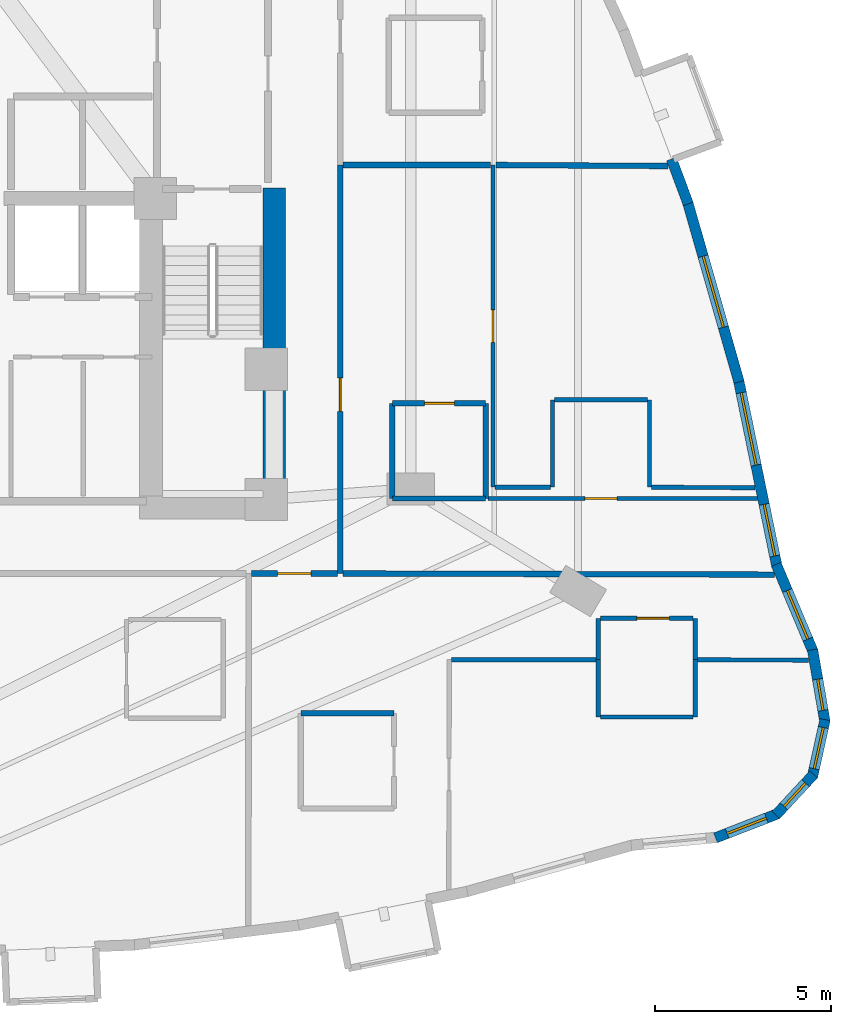
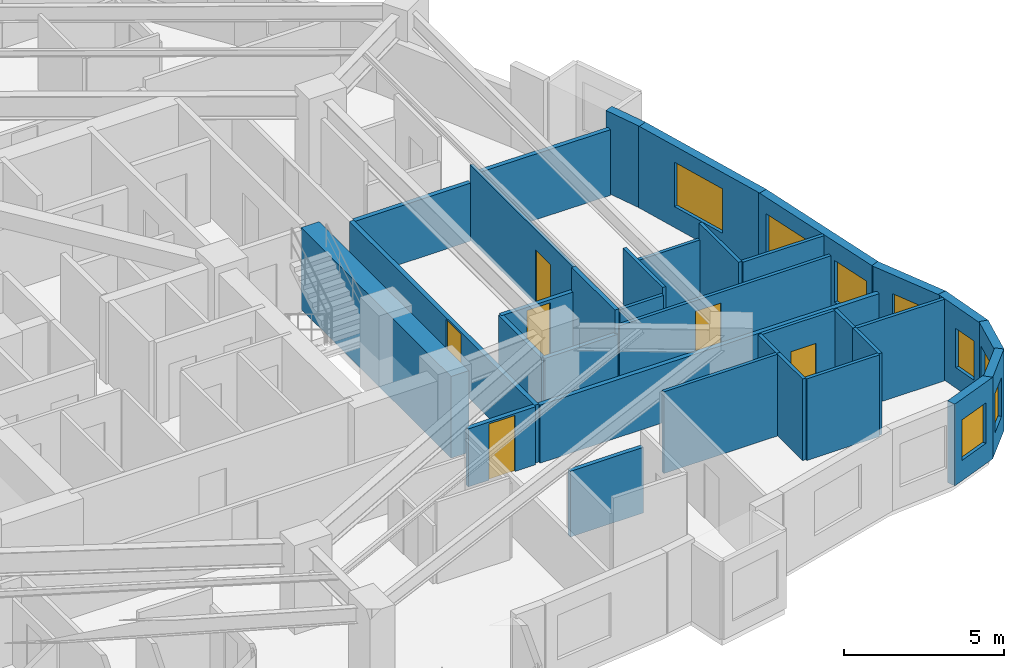
# One storey, part 9 of 13: 34 walls, 8 windows, 6 doors, 14 openings.
"""IFC4 building model written with IfcOpenShell, lengths in metres."""

from ifc_helpers import new_model, si_unit, direction, frame, frame_2d, origin, place, context, subcontext, project, spatial, rectangle, extrude, material, layer, layer_set, type_object, element, fill, save


model = new_model("IFC4")

# Units and contexts
model_context = context("Model", 3, precision=1e-05, world=origin(), true_north=direction((0.0, 1.0)))
body_context = subcontext(model_context, "Body", "Model", "MODEL_VIEW")
ifc_project = project(units=[si_unit("LENGTHUNIT", "METRE"), si_unit("AREAUNIT", "SQUARE_METRE"), si_unit("VOLUMEUNIT", "CUBIC_METRE"), si_unit("PLANEANGLEUNIT", "RADIAN"), si_unit("MASSUNIT", "GRAM", prefix="KILO")], contexts=[model_context])

# Site, building, storey
site_placement = place(None, origin())
site = spatial("IfcSite", under=ifc_project, at=site_placement, CompositionType="ELEMENT")
building_placement = place(site_placement, origin())
building = spatial("IfcBuilding", under=site, at=building_placement, Name="Miruveldt Soraemaru", CompositionType="ELEMENT")
storey_placement = place(building_placement, frame((0.0, 0.0, 70.0)))
storey = spatial("IfcBuildingStorey", under=building, at=storey_placement, Name="L19", CompositionType="ELEMENT", Elevation=70.0)

# Wall
ifc_material_1 = material(Name="Concrete C80/95 (80 MPa)", Category="concrete")
ifc_layer_1 = layer(ifc_material_1, 0.64990234375, Name="Concrete C80/95 (80 MPa)", Category="concrete")
ifc_layer_set_1 = layer_set([ifc_layer_1], Name="Concrete C80/95 (80 MPa)")
wall_type_1 = type_object("IfcWallType", Name="WALL-CW-650", PredefinedType="SHEAR", material=ifc_layer_set_1)
wall_1_placement = place(storey_placement, frame((52.72509765625, 34.949951171875, 0.0), z_axis=(0.0, 0.0, 1.0), x_axis=(0.0, 1.0, 0.0)))
element("IfcWall", 1, at=wall_1_placement, inside=storey, type_object=wall_type_1, Name="L19 Central Core Shear Wall E1", PredefinedType="SHEAR", context=body_context, shape_type="SweptSolid", body=[
    extrude(rectangle(XDim=9.400146484375, YDim=0.64990234375, at=frame_2d((4.7001953125, 0.0))), origin(), (0.0, 0.0, 1.0), 3.125),
])

# Wall, opening, window
ifc_material_2 = material(Name="Precast concrete C45/55 (45 MPa)", Category="concrete")
ifc_layer_2 = layer(ifc_material_2, 0.300048828125, Name="Precast concrete C45/55 (45 MPa)", Category="concrete")
ifc_layer_set_2 = layer_set([ifc_layer_2], Name="Precast concrete C45/55 (45 MPa)")
wall_type_2 = type_object("IfcWallType", Name="WALL-EXT-PC300", PredefinedType="SOLIDWALL", material=ifc_layer_set_2)
wall_2_placement = place(storey_placement, frame((65.25732421875, 25.888671875, 0.0), z_axis=(0.0, 0.0, 1.0), x_axis=(0.932288833734, 0.361714708707, 0.0)))
wall_2 = element("IfcWall", 2, at=wall_2_placement, inside=storey, type_object=wall_type_2, Name="L19 Precast Concrete Facade Wall 30", PredefinedType="SOLIDWALL", context=body_context, shape_type="SweptSolid", body=[
    extrude(rectangle(XDim=1.900634765625, YDim=0.300048828125, at=frame_2d((0.9501953125, 0.0))), origin(), (0.0, 0.0, 1.0), 3.125),
])
opening_1_placement = place(wall_2_placement, frame((0.35107421875, 0.0, 0.780029296875)))
opening_1 = element("IfcOpeningElement", 3, at=opening_1_placement, cuts=wall_2, Name="Opening WN-4", PredefinedType="OPENING", context=body_context, shape_type="SweptSolid", body=[
    extrude(rectangle(XDim=1.199951171875, YDim=1.550048828125, at=frame_2d((0.60009765625, 0.77490234375))), frame((0.0, 0.16015625, 0.0), z_axis=(0.0, -1.0, 0.0), x_axis=(1.0, 0.0, 0.0)), (0.0, 0.0, 1.0), 0.320068359375),
])
ifc_material_3 = material(Name="Triple low-e insulated glazing", Category="glass")
window_type_1 = type_object("IfcWindowType", Name="WIN-PUNCH-1200x1550", PartitioningType="SINGLE_PANEL", PredefinedType="WINDOW", material=ifc_material_3)
window_1_placement = place(opening_1_placement, origin())
window_1 = element("IfcWindow", 4, at=window_1_placement, inside=storey, type_object=window_type_1, Name="L19 Punched Triple-Glazed Window 30.1", OverallHeight=1.550048828125, OverallWidth=1.199951171875, PartitioningType="SINGLE_PANEL", PredefinedType="WINDOW", context=body_context, shape_type="SweptSolid", body=[
    extrude(rectangle(XDim=1.199951171875, YDim=1.550048828125, at=frame_2d((0.60009765625, 0.77490234375))), frame((0.0, 0.030029296875, 0.0), z_axis=(0.0, -1.0, 0.0), x_axis=(1.0, 0.0, 0.0)), (0.0, 0.0, 1.0), 0.06005859375),
])
fill(opening_1, window_1)

wall_3_placement = place(storey_placement, frame((66.972900390625, 26.537841796875, 0.0), z_axis=(0.0, 0.0, 1.0), x_axis=(0.680201509312, 0.73302517469, 0.0)))
wall_3 = element("IfcWall", 5, at=wall_3_placement, inside=storey, type_object=wall_type_2, Name="L19 Precast Concrete Facade Wall 31", PredefinedType="SOLIDWALL", context=body_context, shape_type="SweptSolid", body=[
    extrude(rectangle(XDim=1.575927734375, YDim=0.300048828125, at=frame_2d((0.7880859375, 0.0))), origin(), (0.0, 0.0, 1.0), 3.125),
])
opening_2_placement = place(wall_3_placement, frame((0.337890625, 0.0, 0.780029296875)))
opening_2 = element("IfcOpeningElement", 6, at=opening_2_placement, cuts=wall_3, Name="Opening WN-7", PredefinedType="OPENING", context=body_context, shape_type="SweptSolid", body=[
    extrude(rectangle(XDim=0.89990234375, YDim=1.5, at=frame_2d((0.449951171875, 0.75))), frame((0.0, 0.16015625, 0.0), z_axis=(0.0, -1.0, 0.0), x_axis=(1.0, 0.0, 0.0)), (0.0, 0.0, 1.0), 0.320068359375),
])
window_type_2 = type_object("IfcWindowType", Name="WIN-PUNCH-900x1500", PartitioningType="SINGLE_PANEL", PredefinedType="WINDOW", material=ifc_material_3)
window_2_placement = place(opening_2_placement, origin())
window_2 = element("IfcWindow", 7, at=window_2_placement, inside=storey, type_object=window_type_2, Name="L19 Punched Triple-Glazed Window 31.1", OverallHeight=1.5, OverallWidth=0.89990234375, PartitioningType="SINGLE_PANEL", PredefinedType="WINDOW", context=body_context, shape_type="SweptSolid", body=[
    extrude(rectangle(XDim=0.89990234375, YDim=1.5, at=frame_2d((0.449951171875, 0.75))), frame((0.0, 0.030029296875, 0.0), z_axis=(0.0, -1.0, 0.0), x_axis=(1.0, 0.0, 0.0)), (0.0, 0.0, 1.0), 0.06005859375),
])
fill(opening_2, window_2)

wall_4_placement = place(storey_placement, frame((68.013427734375, 27.633056640625, 0.0), z_axis=(0.0, 0.0, 1.0), x_axis=(0.21571007503, 0.976457456078, 0.0)))
wall_4 = element("IfcWall", 8, at=wall_4_placement, inside=storey, type_object=wall_type_2, Name="L19 Precast Concrete Facade Wall 32", PredefinedType="SOLIDWALL", context=body_context, shape_type="SweptSolid", body=[
    extrude(rectangle(XDim=1.65234375, YDim=0.300048828125, at=frame_2d((0.826171875, 0.0))), origin(), (0.0, 0.0, 1.0), 3.125),
])
opening_3_placement = place(wall_4_placement, frame((0.22607421875, 0.0, 0.780029296875)))
opening_3 = element("IfcOpeningElement", 9, at=opening_3_placement, cuts=wall_4, Name="Opening WN-4", PredefinedType="OPENING", context=body_context, shape_type="SweptSolid", body=[
    extrude(rectangle(XDim=1.199951171875, YDim=1.550048828125, at=frame_2d((0.60009765625, 0.77490234375))), frame((0.0, 0.16015625, 0.0), z_axis=(0.0, -1.0, 0.0), x_axis=(1.0, 0.0, 0.0)), (0.0, 0.0, 1.0), 0.320068359375),
])
window_3_placement = place(opening_3_placement, origin())
window_3 = element("IfcWindow", 10, at=window_3_placement, inside=storey, type_object=window_type_1, Name="L19 Punched Triple-Glazed Window 32.1", OverallHeight=1.550048828125, OverallWidth=1.199951171875, PartitioningType="SINGLE_PANEL", PredefinedType="WINDOW", context=body_context, shape_type="SweptSolid", body=[
    extrude(rectangle(XDim=1.199951171875, YDim=1.550048828125, at=frame_2d((0.60009765625, 0.77490234375))), frame((0.0, 0.030029296875, 0.0), z_axis=(0.0, -1.0, 0.0), x_axis=(1.0, 0.0, 0.0)), (0.0, 0.0, 1.0), 0.06005859375),
])
fill(opening_3, window_3)

wall_5_placement = place(storey_placement, frame((68.3681640625, 29.177978515625, 0.0), z_axis=(0.0, 0.0, 1.0), x_axis=(-0.169256203907, 0.985572086374, 0.0)))
wall_5 = element("IfcWall", 11, at=wall_5_placement, inside=storey, type_object=wall_type_2, Name="L19 Precast Concrete Facade Wall 33", PredefinedType="SOLIDWALL", context=body_context, shape_type="SweptSolid", body=[
    extrude(rectangle(XDim=2.085693359375, YDim=0.300048828125, at=frame_2d((1.04296875, 0.0))), origin(), (0.0, 0.0, 1.0), 3.125),
])
opening_4_placement = place(wall_5_placement, frame((0.3359375, 0.0, 0.780029296875)))
opening_4 = element("IfcOpeningElement", 12, at=opening_4_placement, cuts=wall_5, Name="Opening WN-7", PredefinedType="OPENING", context=body_context, shape_type="SweptSolid", body=[
    extrude(rectangle(XDim=0.89990234375, YDim=1.5, at=frame_2d((0.449951171875, 0.75))), frame((0.0, 0.16015625, 0.0), z_axis=(0.0, -1.0, 0.0), x_axis=(1.0, 0.0, 0.0)), (0.0, 0.0, 1.0), 0.320068359375),
])
window_4_placement = place(opening_4_placement, origin())
window_4 = element("IfcWindow", 13, at=window_4_placement, inside=storey, type_object=window_type_2, Name="L19 Punched Triple-Glazed Window 33.1", OverallHeight=1.5, OverallWidth=0.89990234375, PartitioningType="SINGLE_PANEL", PredefinedType="WINDOW", context=body_context, shape_type="SweptSolid", body=[
    extrude(rectangle(XDim=0.89990234375, YDim=1.5, at=frame_2d((0.449951171875, 0.75))), frame((0.0, 0.030029296875, 0.0), z_axis=(0.0, -1.0, 0.0), x_axis=(1.0, 0.0, 0.0)), (0.0, 0.0, 1.0), 0.06005859375),
])
fill(opening_4, window_4)

wall_6_placement = place(storey_placement, frame((68.03466796875, 31.1669921875, 0.0), z_axis=(0.0, 0.0, 1.0), x_axis=(-0.388674171287, 0.921375270221, 0.0)))
wall_6 = element("IfcWall", 14, at=wall_6_placement, inside=storey, type_object=wall_type_2, Name="L19 Precast Concrete Facade Wall 34", PredefinedType="SOLIDWALL", context=body_context, shape_type="SweptSolid", body=[
    extrude(rectangle(XDim=2.705322265625, YDim=0.300048828125, at=frame_2d((1.3525390625, 0.0))), origin(), (0.0, 0.0, 1.0), 3.125),
])
opening_5_placement = place(wall_6_placement, frame((0.39794921875, 0.0, 0.800048828125)))
opening_5 = element("IfcOpeningElement", 15, at=opening_5_placement, cuts=wall_6, Name="Opening WN-3", PredefinedType="OPENING", context=body_context, shape_type="SweptSolid", body=[
    extrude(rectangle(XDim=1.5, YDim=1.60009765625, at=frame_2d((0.75, 0.800048828125))), frame((0.0, 0.16015625, 0.0), z_axis=(0.0, -1.0, 0.0), x_axis=(1.0, 0.0, 0.0)), (0.0, 0.0, 1.0), 0.320068359375),
])
window_type_3 = type_object("IfcWindowType", Name="WIN-PUNCH-1500x1600", PartitioningType="SINGLE_PANEL", PredefinedType="WINDOW", material=ifc_material_3)
window_5_placement = place(opening_5_placement, origin())
window_5 = element("IfcWindow", 16, at=window_5_placement, inside=storey, type_object=window_type_3, Name="L19 Punched Triple-Glazed Window 34.1", OverallHeight=1.60009765625, OverallWidth=1.5, PartitioningType="SINGLE_PANEL", PredefinedType="WINDOW", context=body_context, shape_type="SweptSolid", body=[
    extrude(rectangle(XDim=1.5, YDim=1.60009765625, at=frame_2d((0.75, 0.800048828125))), frame((0.0, 0.030029296875, 0.0), z_axis=(0.0, -1.0, 0.0), x_axis=(1.0, 0.0, 0.0)), (0.0, 0.0, 1.0), 0.06005859375),
])
fill(opening_5, window_5)

# Wall, openings, windows
wall_7_placement = place(storey_placement, frame((67.00390625, 33.593017578125, 0.0), z_axis=(0.0, 0.0, 1.0), x_axis=(-0.201583076405, 0.979471420363, 0.0)))
wall_7 = element("IfcWall", 17, at=wall_7_placement, inside=storey, type_object=wall_type_2, Name="L19 Precast Concrete Facade Wall 35", PredefinedType="SOLIDWALL", context=body_context, shape_type="SweptSolid", body=[
    extrude(rectangle(XDim=5.424560546875, YDim=0.300048828125, at=frame_2d((2.71240234375, 0.0))), origin(), (0.0, 0.0, 1.0), 3.125),
])
opening_6_placement = place(wall_7_placement, frame((0.30810546875, 0.0, 0.800048828125)))
opening_6 = element("IfcOpeningElement", 18, at=opening_6_placement, cuts=wall_7, Name="Opening WN-3", PredefinedType="OPENING", context=body_context, shape_type="SweptSolid", body=[
    extrude(rectangle(XDim=1.5, YDim=1.60009765625, at=frame_2d((0.75, 0.800048828125))), frame((0.0, 0.16015625, 0.0), z_axis=(0.0, -1.0, 0.0), x_axis=(1.0, 0.0, 0.0)), (0.0, 0.0, 1.0), 0.320068359375),
])
opening_7_placement = place(wall_7_placement, frame((2.943115234375, 0.0, 0.800048828125)))
opening_7 = element("IfcOpeningElement", 19, at=opening_7_placement, cuts=wall_7, Name="Opening WN-1", PredefinedType="OPENING", context=body_context, shape_type="SweptSolid", body=[
    extrude(rectangle(XDim=2.10009765625, YDim=1.699951171875, at=frame_2d((1.050048828125, 0.85009765625))), frame((0.0, 0.16015625, 0.0), z_axis=(0.0, -1.0, 0.0), x_axis=(1.0, 0.0, 0.0)), (0.0, 0.0, 1.0), 0.320068359375),
])
window_6_placement = place(opening_6_placement, origin())
window_6 = element("IfcWindow", 20, at=window_6_placement, inside=storey, type_object=window_type_3, Name="L19 Punched Triple-Glazed Window 35.1", OverallHeight=1.60009765625, OverallWidth=1.5, PartitioningType="SINGLE_PANEL", PredefinedType="WINDOW", context=body_context, shape_type="SweptSolid", body=[
    extrude(rectangle(XDim=1.5, YDim=1.60009765625, at=frame_2d((0.75, 0.800048828125))), frame((0.0, 0.030029296875, 0.0), z_axis=(0.0, -1.0, 0.0), x_axis=(1.0, 0.0, 0.0)), (0.0, 0.0, 1.0), 0.06005859375),
])
fill(opening_6, window_6)
window_type_4 = type_object("IfcWindowType", Name="WIN-PUNCH-2100x1700", PartitioningType="SINGLE_PANEL", PredefinedType="WINDOW", material=ifc_material_3)
window_7_placement = place(opening_7_placement, origin())
window_7 = element("IfcWindow", 21, at=window_7_placement, inside=storey, type_object=window_type_4, Name="L19 Punched Triple-Glazed Window 35.2", OverallHeight=1.699951171875, OverallWidth=2.10009765625, PartitioningType="SINGLE_PANEL", PredefinedType="WINDOW", context=body_context, shape_type="SweptSolid", body=[
    extrude(rectangle(XDim=2.10009765625, YDim=1.699951171875, at=frame_2d((1.050048828125, 0.85009765625))), frame((0.0, 0.030029296875, 0.0), z_axis=(0.0, -1.0, 0.0), x_axis=(1.0, 0.0, 0.0)), (0.0, 0.0, 1.0), 0.06005859375),
])
fill(opening_7, window_7)

# Wall, opening, window
wall_8_placement = place(storey_placement, frame((65.92724609375, 38.83837890625, 0.0), z_axis=(0.0, 0.0, 1.0), x_axis=(-0.275011596825, 0.961440909059, 0.0)))
wall_8 = element("IfcWall", 22, at=wall_8_placement, inside=storey, type_object=wall_type_2, Name="L19 Precast Concrete Facade Wall 36", PredefinedType="SOLIDWALL", context=body_context, shape_type="SweptSolid", body=[
    extrude(rectangle(XDim=5.328369140625, YDim=0.300048828125, at=frame_2d((2.6640625, 0.0))), origin(), (0.0, 0.0, 1.0), 3.125),
])
opening_8_placement = place(wall_8_placement, frame((1.614013671875, 0.0, 0.800048828125)))
opening_8 = element("IfcOpeningElement", 23, at=opening_8_placement, cuts=wall_8, Name="Opening WN-1", PredefinedType="OPENING", context=body_context, shape_type="SweptSolid", body=[
    extrude(rectangle(XDim=2.10009765625, YDim=1.699951171875, at=frame_2d((1.050048828125, 0.85009765625))), frame((0.0, 0.16015625, 0.0), z_axis=(0.0, -1.0, 0.0), x_axis=(1.0, 0.0, 0.0)), (0.0, 0.0, 1.0), 0.320068359375),
])
window_8_placement = place(opening_8_placement, origin())
window_8 = element("IfcWindow", 24, at=window_8_placement, inside=storey, type_object=window_type_4, Name="L19 Punched Triple-Glazed Window 36.1", OverallHeight=1.699951171875, OverallWidth=2.10009765625, PartitioningType="SINGLE_PANEL", PredefinedType="WINDOW", context=body_context, shape_type="SweptSolid", body=[
    extrude(rectangle(XDim=2.10009765625, YDim=1.699951171875, at=frame_2d((1.050048828125, 0.85009765625))), frame((0.0, 0.030029296875, 0.0), z_axis=(0.0, -1.0, 0.0), x_axis=(1.0, 0.0, 0.0)), (0.0, 0.0, 1.0), 0.06005859375),
])
fill(opening_8, window_8)

# Wall
wall_9_placement = place(storey_placement, frame((64.48388671875, 43.894775390625, 0.0), z_axis=(0.0, 0.0, 1.0), x_axis=(-0.349118285332, 0.937078664172, 0.0)))
element("IfcWall", 25, at=wall_9_placement, inside=storey, type_object=wall_type_2, Name="L19 Precast Pier Wall 37A", PredefinedType="SOLIDWALL", context=body_context, shape_type="SweptSolid", body=[
    extrude(rectangle(XDim=1.361572265625, YDim=0.300048828125, at=frame_2d((0.6806640625, 0.0))), origin(), (0.0, 0.0, 1.0), 3.125),
])

# Wall, opening, door
ifc_material_4 = material(Name="Gypsum plasterboard lining", Category="gypsum")
ifc_layer_3 = layer(ifc_material_4, 0.1201171875, Name="Gypsum plasterboard lining", Category="gypsum")
ifc_layer_set_3 = layer_set([ifc_layer_3], Name="Gypsum plasterboard lining")
wall_type_3 = type_object("IfcWallType", Name="WALL-INT-P120", PredefinedType="PARTITIONING", material=ifc_layer_set_3)
wall_10_placement = place(storey_placement, frame((58.94189453125, 35.85009765625, 0.0), z_axis=(0.0, 0.0, 1.0), x_axis=(0.0, 1.0, 0.0)))
wall_10 = element("IfcWall", 26, at=wall_10_placement, inside=storey, type_object=wall_type_3, Name="L19 Partition Wall 74", PredefinedType="PARTITIONING", context=body_context, shape_type="SweptSolid", body=[
    extrude(rectangle(XDim=9.14990234375, YDim=0.1201171875, at=frame_2d((4.574951171875, 0.0))), origin(), (0.0, 0.0, 1.0), 2.863037109375),
])
opening_9_placement = place(wall_10_placement, frame((4.114990234375, 0.0, 0.0)))
opening_9 = element("IfcOpeningElement", 27, at=opening_9_placement, cuts=wall_10, Name="Opening D3A", PredefinedType="OPENING", context=body_context, shape_type="SweptSolid", body=[
    extrude(rectangle(XDim=0.919921875, YDim=2.10009765625, at=frame_2d((0.4599609375, 1.050048828125))), frame((0.0, 0.070068359375, 0.0), z_axis=(0.0, -1.0, 0.0), x_axis=(1.0, 0.0, 0.0)), (0.0, 0.0, 1.0), 0.14013671875),
])
ifc_material_5 = material(Name="Anodised aluminium EN AW-6063 T6", Category="aluminium")
door_type_1 = type_object("IfcDoorType", Name="DOOR-INT-920", OperationType="NOTDEFINED", PredefinedType="DOOR", material=ifc_material_5)
door_1_placement = place(opening_9_placement, origin())
door_1 = element("IfcDoor", 28, at=door_1_placement, inside=storey, type_object=door_type_1, Name="L19 Unit 1906 BD1 Door", OperationType="SINGLE_SWING_RIGHT", OverallHeight=2.10009765625, OverallWidth=0.919921875, PredefinedType="DOOR", context=body_context, shape_type="SweptSolid", body=[
    extrude(rectangle(XDim=0.919921875, YDim=2.10009765625, at=frame_2d((0.4599609375, 1.050048828125))), frame((0.0, 0.02490234375, 0.0), z_axis=(0.0, -1.0, 0.0), x_axis=(1.0, 0.0, 0.0)), (0.0, 0.0, 1.0), 0.050048828125),
])
fill(opening_9, door_1)

wall_11_placement = place(storey_placement, frame((58.7900390625, 35.530029296875, 0.0), z_axis=(0.0, 0.0, 1.0), x_axis=(0.999999975075, -0.000223271237, 0.0)))
wall_11 = element("IfcWall", 29, at=wall_11_placement, inside=storey, type_object=wall_type_3, Name="L19 Partition Wall 71", PredefinedType="PARTITIONING", context=body_context, shape_type="SweptSolid", body=[
    extrude(rectangle(XDim=7.654296875, YDim=0.1201171875, at=frame_2d((3.8271484375, 0.0))), origin(), (0.0, 0.0, 1.0), 2.512939453125),
])
opening_10_placement = place(wall_11_placement, frame((2.7548828125, 0.0, 0.0)))
opening_10 = element("IfcOpeningElement", 30, at=opening_10_placement, cuts=wall_11, Name="Opening D3A", PredefinedType="OPENING", context=body_context, shape_type="SweptSolid", body=[
    extrude(rectangle(XDim=0.919921875, YDim=2.10009765625, at=frame_2d((0.4599609375, 1.050048828125))), frame((0.0, 0.070068359375, 0.0), z_axis=(0.0, -1.0, 0.0), x_axis=(1.0, 0.0, 0.0)), (0.0, 0.0, 1.0), 0.14013671875),
])
door_2_placement = place(opening_10_placement, origin())
door_2 = element("IfcDoor", 31, at=door_2_placement, inside=storey, type_object=door_type_1, Name="L19 Unit 1906 KIT Door", OperationType="SINGLE_SWING_LEFT", OverallHeight=2.10009765625, OverallWidth=0.919921875, PredefinedType="DOOR", context=body_context, shape_type="SweptSolid", body=[
    extrude(rectangle(XDim=0.919921875, YDim=2.10009765625, at=frame_2d((0.4599609375, 1.050048828125))), frame((0.0, 0.02490234375, 0.0), z_axis=(0.0, -1.0, 0.0), x_axis=(1.0, 0.0, 0.0)), (0.0, 0.0, 1.0), 0.050048828125),
])
fill(opening_10, door_2)

wall_12_placement = place(storey_placement, frame((64.6201171875, 32.126953125, 0.0), z_axis=(0.0, 0.0, 1.0), x_axis=(-1.0, 0.0, 0.0)))
wall_12 = element("IfcWall", 32, at=wall_12_placement, inside=storey, type_object=wall_type_3, Name="L19 Partition Wall 107", PredefinedType="PARTITIONING", context=body_context, shape_type="SweptSolid", body=[
    extrude(rectangle(XDim=2.630126953125, YDim=0.1201171875, at=frame_2d((1.31494140625, 0.0))), origin(), (0.0, 0.0, 1.0), 3.125),
])
opening_11_placement = place(wall_12_placement, frame((0.675048828125, 0.0, 0.0)))
opening_11 = element("IfcOpeningElement", 33, at=opening_11_placement, cuts=wall_12, Name="Opening D3A", PredefinedType="OPENING", context=body_context, shape_type="SweptSolid", body=[
    extrude(rectangle(XDim=0.919921875, YDim=2.10009765625, at=frame_2d((0.4599609375, 1.050048828125))), frame((0.0, 0.070068359375, 0.0), z_axis=(0.0, -1.0, 0.0), x_axis=(1.0, 0.0, 0.0)), (0.0, 0.0, 1.0), 0.14013671875),
])
door_3_placement = place(opening_11_placement, origin())
door_3 = element("IfcDoor", 34, at=door_3_placement, inside=storey, type_object=door_type_1, Name="L19 Unit 1909 KIT Door", OperationType="SINGLE_SWING_RIGHT", OverallHeight=2.10009765625, OverallWidth=0.919921875, PredefinedType="DOOR", context=body_context, shape_type="SweptSolid", body=[
    extrude(rectangle(XDim=0.919921875, YDim=2.10009765625, at=frame_2d((0.4599609375, 1.050048828125))), frame((0.0, 0.02490234375, 0.0), z_axis=(0.0, -1.0, 0.0), x_axis=(1.0, 0.0, 0.0)), (0.0, 0.0, 1.0), 0.050048828125),
])
fill(opening_11, door_3)

# Walls
wall_13_placement = place(storey_placement, frame((57.758056640625, 30.949951171875, 0.0), z_axis=(0.0, 0.0, 1.0), x_axis=(1.0, 0.0, 0.0)))
element("IfcWall", 35, at=wall_13_placement, inside=storey, type_object=wall_type_3, Name="L19 Partition Wall 110", PredefinedType="PARTITIONING", context=body_context, shape_type="SweptSolid", body=[
    extrude(rectangle(XDim=4.112060546875, YDim=0.1201171875, at=frame_2d((2.05615234375, 0.0))), origin(), (0.0, 0.0, 1.0), 3.125),
])
wall_14_placement = place(storey_placement, frame((64.739990234375, 30.949951171875, 0.0), z_axis=(0.0, 0.0, 1.0), x_axis=(0.999990296867, -0.004405243599, 0.0)))
element("IfcWall", 36, at=wall_14_placement, inside=storey, type_object=wall_type_3, Name="L19 Partition Wall 111", PredefinedType="PARTITIONING", context=body_context, shape_type="SweptSolid", body=[
    extrude(rectangle(XDim=3.158935546875, YDim=0.1201171875, at=frame_2d((1.57958984375, 0.0))), origin(), (0.0, 0.0, 1.0), 3.125),
])
wall_15_placement = place(storey_placement, frame((66.375, 35.8330078125, 0.0), z_axis=(0.0, 0.0, 1.0), x_axis=(-0.999983048755, 0.005822559758, 0.0)))
element("IfcWall", 37, at=wall_15_placement, inside=storey, type_object=wall_type_3, Name="L19 Partition Wall 72", PredefinedType="PARTITIONING", context=body_context, shape_type="SweptSolid", body=[
    extrude(rectangle(XDim=2.93505859375, YDim=0.1201171875, at=frame_2d((1.467529296875, 0.0))), origin(), (0.0, 0.0, 1.0), 3.125),
])
wall_16_placement = place(storey_placement, frame((63.320068359375, 38.330078125, 0.0), z_axis=(0.0, 0.0, 1.0), x_axis=(-1.0, 0.0, 0.0)))
element("IfcWall", 38, at=wall_16_placement, inside=storey, type_object=wall_type_3, Name="L19 Partition Wall 77", PredefinedType="PARTITIONING", context=body_context, shape_type="SweptSolid", body=[
    extrude(rectangle(XDim=2.630126953125, YDim=0.1201171875, at=frame_2d((1.31494140625, 0.0))), origin(), (0.0, 0.0, 1.0), 2.512939453125),
])
wall_17_placement = place(storey_placement, frame((61.989990234375, 29.326904296875, 0.0), z_axis=(0.0, 0.0, 1.0), x_axis=(1.0, 0.0, 0.0)))
element("IfcWall", 39, at=wall_17_placement, inside=storey, type_object=wall_type_3, Name="L19 Partition Wall 113", PredefinedType="PARTITIONING", context=body_context, shape_type="SweptSolid", body=[
    extrude(rectangle(XDim=2.630126953125, YDim=0.1201171875, at=frame_2d((1.31494140625, 0.0))), origin(), (0.0, 0.0, 1.0), 3.125),
])
for number, where, z_axis, x_axis, name in (
    (40, (63.3798828125, 35.85009765625, 0.0), (0.0, 0.0, 1.0), (0.0, 1.0, 0.0), "L19 Partition Wall 76"),
    (41, (60.6298828125, 38.330078125, 0.0), (0.0, 0.0, 1.0), (0.0, -1.0, 0.0), "L19 Partition Wall 78"),
):
    element("IfcWall", number, at=place(storey_placement, frame(where, z_axis=z_axis, x_axis=x_axis)), inside=storey, type_object=wall_type_3, Name=name, PredefinedType="PARTITIONING", context=body_context, shape_type="SweptSolid", body=[
        extrude(rectangle(XDim=2.47998046875, YDim=0.1201171875, at=frame_2d((1.239990234375, 0.0))), origin(), (0.0, 0.0, 1.0), 3.125),
    ])
for number, where, z_axis, x_axis, name in (
    (42, (61.929931640625, 30.949951171875, 0.0), (0.0, 0.0, 1.0), (0.0, -1.0, 0.0), "L19 Partition Wall 112"),
    (43, (64.679931640625, 29.326904296875, 0.0), (0.0, 0.0, 1.0), (0.0, 1.0, 0.0), "L19 Partition Wall 114"),
):
    element("IfcWall", number, at=place(storey_placement, frame(where, z_axis=z_axis, x_axis=x_axis)), inside=storey, type_object=wall_type_3, Name=name, PredefinedType="PARTITIONING", context=body_context, shape_type="SweptSolid", body=[
        extrude(rectangle(XDim=1.623046875, YDim=0.1201171875, at=frame_2d((0.8115234375, 0.0))), origin(), (0.0, 0.0, 1.0), 3.125),
    ])
wall_18_placement = place(storey_placement, frame((60.570068359375, 35.85009765625, 0.0), z_axis=(0.0, 0.0, 1.0), x_axis=(-1.0, 0.0, 0.0)))
element("IfcWall", 44, at=wall_18_placement, inside=storey, type_object=wall_type_3, Name="L19 Partition Wall 73", PredefinedType="PARTITIONING", context=body_context, shape_type="SweptSolid", body=[
    extrude(rectangle(XDim=1.568115234375, YDim=0.1201171875, at=frame_2d((0.7841796875, 0.0))), origin(), (0.0, 0.0, 1.0), 2.863037109375),
])
for number, where, z_axis, x_axis, name in (
    (45, (64.679931640625, 30.949951171875, 0.0), (0.0, 0.0, 1.0), (0.0, 1.0, 0.0), "L19 Partition Wall 106"),
    (46, (61.929931640625, 32.126953125, 0.0), (0.0, 0.0, 1.0), (0.0, -1.0, 0.0), "L19 Partition Wall 108"),
):
    element("IfcWall", number, at=place(storey_placement, frame(where, z_axis=z_axis, x_axis=x_axis)), inside=storey, type_object=wall_type_3, Name=name, PredefinedType="PARTITIONING", context=body_context, shape_type="SweptSolid", body=[
        extrude(rectangle(XDim=1.177001953125, YDim=0.1201171875, at=frame_2d((0.58837890625, 0.0))), origin(), (0.0, 0.0, 1.0), 3.125),
    ])

# Wall, opening, door
ifc_layer_4 = layer(ifc_material_4, 0.14990234375, Name="Gypsum plasterboard lining", Category="gypsum")
ifc_layer_set_4 = layer_set([ifc_layer_4], Name="Gypsum plasterboard lining")
wall_type_4 = type_object("IfcWallType", Name="WALL-INT-PLUMB", PredefinedType="PLUMBINGWALL", material=ifc_layer_set_4)
wall_19_placement = place(storey_placement, frame((58.72998046875, 38.22998046875, 0.0), z_axis=(0.0, 0.0, 1.0), x_axis=(-1.0, 0.0, 0.0)))
wall_19 = element("IfcWall", 47, at=wall_19_placement, inside=storey, type_object=wall_type_4, Name="L19 Partition Wall 68", PredefinedType="PLUMBINGWALL", context=body_context, shape_type="SweptSolid", body=[
    extrude(rectangle(XDim=2.64990234375, YDim=0.14990234375, at=frame_2d((1.324951171875, 0.0))), origin(), (0.0, 0.0, 1.0), 2.219970703125),
])
opening_12_placement = place(wall_19_placement, frame((0.885009765625, 0.0, 0.0)))
opening_12 = element("IfcOpeningElement", 48, at=opening_12_placement, cuts=wall_19, Name="Opening FD3", PredefinedType="OPENING", context=body_context, shape_type="SweptSolid", body=[
    extrude(rectangle(XDim=0.85009765625, YDim=2.10009765625, at=frame_2d((0.425048828125, 1.050048828125))), frame((0.0, 0.0849609375, 0.0), z_axis=(0.0, -1.0, 0.0), x_axis=(1.0, 0.0, 0.0)), (0.0, 0.0, 1.0), 0.169921875),
])
door_type_2 = type_object("IfcDoorType", Name="DOOR-FD3-850", OperationType="NOTDEFINED", PredefinedType="DOOR", material=ifc_material_5)
door_4_placement = place(opening_12_placement, origin())
door_4 = element("IfcDoor", 49, at=door_4_placement, inside=storey, type_object=door_type_2, Name="L19 Unit 1906 BTH Door", OperationType="SINGLE_SWING_RIGHT", OverallHeight=2.10009765625, OverallWidth=0.85009765625, PredefinedType="DOOR", context=body_context, shape_type="SweptSolid", body=[
    extrude(rectangle(XDim=0.85009765625, YDim=2.10009765625, at=frame_2d((0.425048828125, 1.050048828125))), frame((0.0, 0.02490234375, 0.0), z_axis=(0.0, -1.0, 0.0), x_axis=(1.0, 0.0, 0.0)), (0.0, 0.0, 1.0), 0.050048828125),
])
fill(opening_12, door_4)

# Walls
wall_20_placement = place(storey_placement, frame((58.72998046875, 35.530029296875, 0.0), z_axis=(0.0, 0.0, 1.0), x_axis=(0.0, 1.0, 0.0)))
element("IfcWall", 50, at=wall_20_placement, inside=storey, type_object=wall_type_4, Name="L19 Partition Wall 67", PredefinedType="PLUMBINGWALL", context=body_context, shape_type="SweptSolid", body=[
    extrude(rectangle(XDim=2.699951171875, YDim=0.14990234375, at=frame_2d((1.35009765625, 0.0))), origin(), (0.0, 0.0, 1.0), 3.125),
])
wall_21_placement = place(storey_placement, frame((56.080078125, 38.22998046875, 0.0), z_axis=(0.0, 0.0, 1.0), x_axis=(0.0, -1.0, 0.0)))
element("IfcWall", 51, at=wall_21_placement, inside=storey, type_object=wall_type_4, Name="L19 Partition Wall 69", PredefinedType="PLUMBINGWALL", context=body_context, shape_type="SweptSolid", body=[
    extrude(rectangle(XDim=2.699951171875, YDim=0.14990234375, at=frame_2d((1.35009765625, 0.0))), origin(), (0.0, 0.0, 1.0), 2.219970703125),
])
wall_22_placement = place(storey_placement, frame((56.1298828125, 29.427001953125, 0.0), z_axis=(0.0, 0.0, 1.0), x_axis=(-1.0, 0.0, 0.0)))
element("IfcWall", 52, at=wall_22_placement, inside=storey, type_object=wall_type_4, Name="L19 Partition Wall 103", PredefinedType="PLUMBINGWALL", context=body_context, shape_type="SweptSolid", body=[
    extrude(rectangle(XDim=2.64990234375, YDim=0.14990234375, at=frame_2d((1.324951171875, 0.0))), origin(), (0.0, 0.0, 1.0), 2.512939453125),
])
wall_23_placement = place(storey_placement, frame((56.080078125, 35.530029296875, 0.0), z_axis=(0.0, 0.0, 1.0), x_axis=(1.0, 0.0, 0.0)))
element("IfcWall", 53, at=wall_23_placement, inside=storey, type_object=wall_type_4, Name="L19 Partition Wall 70", PredefinedType="PLUMBINGWALL", context=body_context, shape_type="SweptSolid", body=[
    extrude(rectangle(XDim=2.64990234375, YDim=0.14990234375, at=frame_2d((1.324951171875, 0.0))), origin(), (0.0, 0.0, 1.0), 2.219970703125),
])

# Wall, opening, door
ifc_material_6 = material(Name="Concrete C40/50 (40 MPa)", Category="concrete")
ifc_layer_5 = layer(ifc_material_6, 0.159912109375, Name="Concrete C40/50 (40 MPa)", Category="concrete")
ifc_layer_set_5 = layer_set([ifc_layer_5], Name="Concrete C40/50 (40 MPa)")
wall_type_5 = type_object("IfcWallType", Name="WALL-INT-RC160", PredefinedType="SOLIDWALL", material=ifc_layer_set_5)
wall_24_placement = place(storey_placement, frame((54.60009765625, 33.39990234375, 0.0), z_axis=(0.0, 0.0, 1.0), x_axis=(0.0, 1.0, 0.0)))
wall_24 = element("IfcWall", 54, at=wall_24_placement, inside=storey, type_object=wall_type_5, Name="L19 Partition Wall 8", PredefinedType="SOLIDWALL", context=body_context, shape_type="SweptSolid", body=[
    extrude(rectangle(XDim=11.60009765625, YDim=0.159912109375, at=frame_2d((5.800048828125, 0.0))), origin(), (0.0, 0.0, 1.0), 2.219970703125),
])
opening_13_placement = place(wall_24_placement, frame((4.60498046875, 0.0, 0.0)))
opening_13 = element("IfcOpeningElement", 55, at=opening_13_placement, cuts=wall_24, Name="Opening FD2", PredefinedType="OPENING", context=body_context, shape_type="SweptSolid", body=[
    extrude(rectangle(XDim=0.949951171875, YDim=2.14990234375, at=frame_2d((0.47509765625, 1.074951171875))), frame((0.0, 0.08984375, 0.0), z_axis=(0.0, -1.0, 0.0), x_axis=(1.0, 0.0, 0.0)), (0.0, 0.0, 1.0), 0.179931640625),
])
door_type_3 = type_object("IfcDoorType", Name="DOOR-FD2-950", OperationType="NOTDEFINED", PredefinedType="DOOR", material=ifc_material_5)
door_5_placement = place(opening_13_placement, origin())
door_5 = element("IfcDoor", 56, at=door_5_placement, inside=storey, type_object=door_type_3, Name="L19 Unit 1906 Entrance Fire Door", OperationType="SINGLE_SWING_LEFT", OverallHeight=2.14990234375, OverallWidth=0.949951171875, PredefinedType="DOOR", context=body_context, shape_type="SweptSolid", body=[
    extrude(rectangle(XDim=0.949951171875, YDim=2.14990234375, at=frame_2d((0.47509765625, 1.074951171875))), frame((0.0, 0.02490234375, 0.0), z_axis=(0.0, -1.0, 0.0), x_axis=(1.0, 0.0, 0.0)), (0.0, 0.0, 1.0), 0.050048828125),
])
fill(opening_13, door_5)

wall_25_placement = place(storey_placement, frame((52.080078125, 33.39990234375, 0.0), z_axis=(0.0, 0.0, 1.0), x_axis=(1.0, 0.0, 0.0)))
wall_25 = element("IfcWall", 57, at=wall_25_placement, inside=storey, type_object=wall_type_5, Name="L19 Partition Wall 11", PredefinedType="SOLIDWALL", context=body_context, shape_type="SweptSolid", body=[
    extrude(rectangle(XDim=2.43994140625, YDim=0.159912109375, at=frame_2d((1.219970703125, 0.0))), origin(), (0.0, 0.0, 1.0), 2.219970703125),
])
opening_14_placement = place(wall_25_placement, frame((0.7451171875, 0.0, 0.0)))
opening_14 = element("IfcOpeningElement", 58, at=opening_14_placement, cuts=wall_25, Name="Opening FD2", PredefinedType="OPENING", context=body_context, shape_type="SweptSolid", body=[
    extrude(rectangle(XDim=0.949951171875, YDim=2.14990234375, at=frame_2d((0.47509765625, 1.074951171875))), frame((0.0, 0.08984375, 0.0), z_axis=(0.0, -1.0, 0.0), x_axis=(1.0, 0.0, 0.0)), (0.0, 0.0, 1.0), 0.179931640625),
])
door_6_placement = place(opening_14_placement, origin())
door_6 = element("IfcDoor", 59, at=door_6_placement, inside=storey, type_object=door_type_3, Name="L19 Unit 1909 Entrance Fire Door", OperationType="SINGLE_SWING_RIGHT", OverallHeight=2.14990234375, OverallWidth=0.949951171875, PredefinedType="DOOR", context=body_context, shape_type="SweptSolid", body=[
    extrude(rectangle(XDim=0.949951171875, YDim=2.14990234375, at=frame_2d((0.47509765625, 1.074951171875))), frame((0.0, 0.02490234375, 0.0), z_axis=(0.0, -1.0, 0.0), x_axis=(1.0, 0.0, 0.0)), (0.0, 0.0, 1.0), 0.050048828125),
])
fill(opening_14, door_6)

# Walls
wall_26_placement = place(storey_placement, frame((54.679931640625, 33.39990234375, 0.0), z_axis=(0.0, 0.0, 1.0), x_axis=(0.999996379391, -0.002690948637, 0.0)))
element("IfcWall", 60, at=wall_26_placement, inside=storey, type_object=wall_type_5, Name="L19 Partition Wall 75", PredefinedType="SOLIDWALL", context=body_context, shape_type="SweptSolid", body=[
    extrude(rectangle(XDim=12.248046875, YDim=0.159912109375, at=frame_2d((6.1240234375, 0.0))), origin(), (0.0, 0.0, 1.0), 2.219970703125),
])
wall_27_placement = place(storey_placement, frame((59.02197265625, 45.0, 0.0), z_axis=(0.0, 0.0, 1.0), x_axis=(0.999981106294, -0.006147117601, 0.0)))
element("IfcWall", 61, at=wall_27_placement, inside=storey, type_object=wall_type_5, Name="L19 Partition Wall 66", PredefinedType="SOLIDWALL", context=body_context, shape_type="SweptSolid", body=[
    extrude(rectangle(XDim=4.885009765625, YDim=0.159912109375, at=frame_2d((2.4423828125, 0.0))), origin(), (0.0, 0.0, 1.0), 2.512939453125),
])
wall_28_placement = place(storey_placement, frame((54.679931640625, 45.0, 0.0), z_axis=(0.0, 0.0, 1.0), x_axis=(1.0, 0.0, 0.0)))
element("IfcWall", 62, at=wall_28_placement, inside=storey, type_object=wall_type_5, Name="L19 Partition Wall 65", PredefinedType="SOLIDWALL", context=body_context, shape_type="SweptSolid", body=[
    extrude(rectangle(XDim=4.18212890625, YDim=0.159912109375, at=frame_2d((2.091064453125, 0.0))), origin(), (0.0, 0.0, 1.0), 2.219970703125),
])

save(model, "model.ifc")
